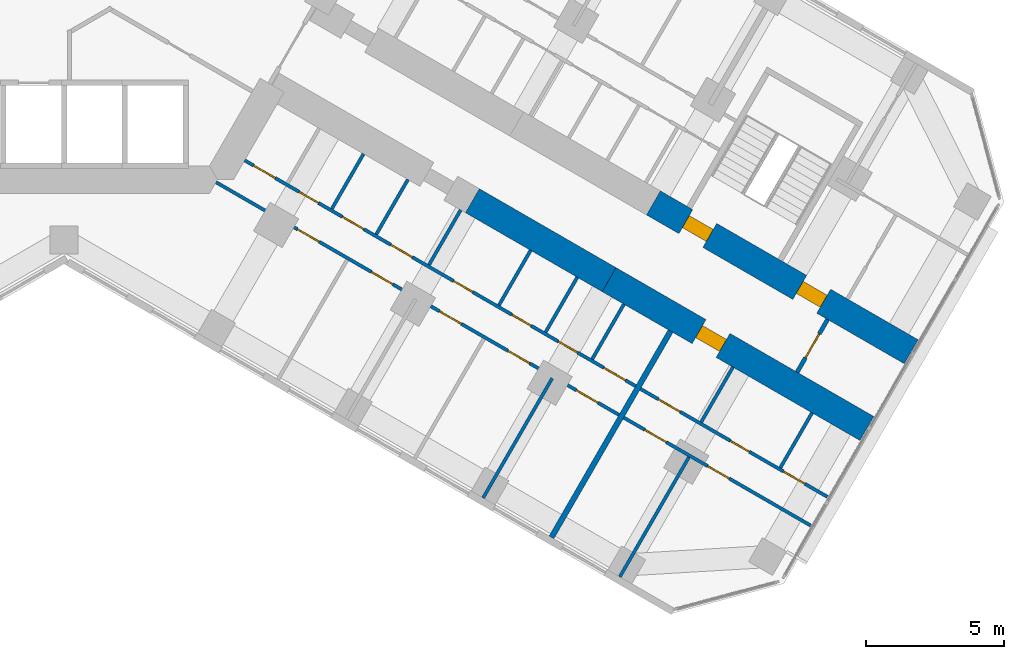
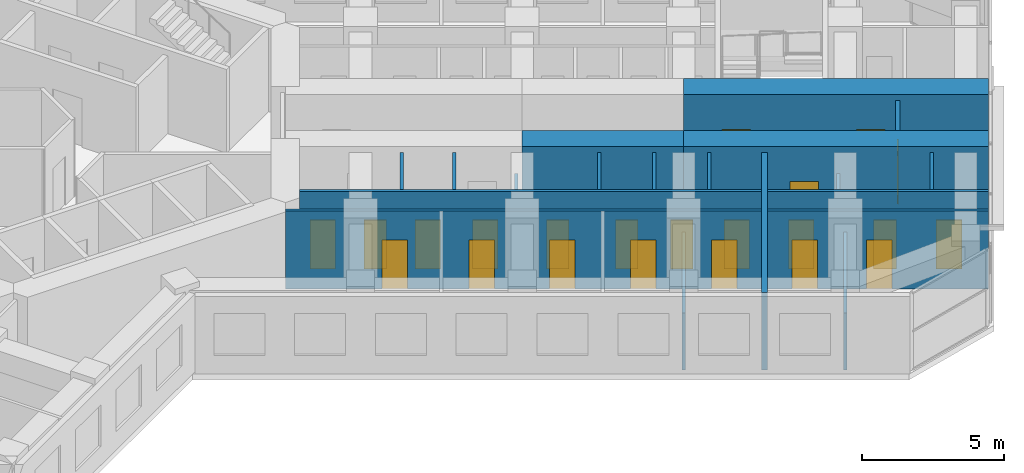
# One storey, part 14 of 21: 22 doors, 19 walls, 22 openings.
"""IFC4 building model written with IfcOpenShell, lengths in metres."""

from ifc_helpers import new_model, si_unit, direction, frame, frame_2d, origin, place, context, subcontext, project, spatial, rectangle, extrude, material, layer, layer_set, type_object, element, fill, save


model = new_model("IFC4")

# Units and contexts
model_context = context("Model", 3, precision=1e-05, world=origin(), true_north=direction((0.0, 1.0)))
body_context = subcontext(model_context, "Body", "Model", "MODEL_VIEW")
ifc_project = project(units=[si_unit("LENGTHUNIT", "METRE"), si_unit("AREAUNIT", "SQUARE_METRE"), si_unit("VOLUMEUNIT", "CUBIC_METRE"), si_unit("PLANEANGLEUNIT", "RADIAN"), si_unit("MASSUNIT", "GRAM", prefix="KILO")], contexts=[model_context])

# Site, building, storey
site_placement = place(None, origin())
site = spatial("IfcSite", under=ifc_project, at=site_placement, CompositionType="ELEMENT")
building_placement = place(site_placement, origin())
building = spatial("IfcBuilding", under=site, at=building_placement, Name="Kosmar Iwan School Tower", CompositionType="ELEMENT")
storey_placement = place(building_placement, frame((0.0, 0.0, 64.60009765625)))
storey = spatial("IfcBuildingStorey", under=building, at=storey_placement, Name="L15", CompositionType="ELEMENT", Elevation=64.60009765625)

# Wall, openings, doors
ifc_material_1 = material(Name="Concrete C50/60", Category="concrete")
ifc_layer_1 = layer(ifc_material_1, 1.0)
ifc_layer_set_1 = layer_set([ifc_layer_1], Name="Corridor buttress wall 1000")
wall_type_1 = type_object("IfcWallType", Name="Corridor buttress wall 1000", PredefinedType="SHEAR", material=ifc_layer_set_1)
wall_1_placement = place(storey_placement, frame((21.281494140625, -10.439453125, 0.0), z_axis=(0.0, 0.0, 1.0), x_axis=(0.866032345022, -0.499987977232, 0.0)))
wall_1 = element("IfcWall", 1, at=wall_1_placement, inside=storey, type_object=wall_type_1, Name="Corridor wall CL bay 3", PredefinedType="SHEAR", context=body_context, shape_type="SweptSolid", body=[
    extrude(rectangle(XDim=10.744873046875, YDim=1.0, at=frame_2d((5.37255859375, 0.0))), origin(), (0.0, 0.0, 1.0), 3.599853515625),
])
opening_1_placement = place(wall_1_placement, frame((6.10009765625, 0.0, 0.0)))
opening_1 = element("IfcOpeningElement", 2, at=opening_1_placement, cuts=wall_1, Name="Opening D1", PredefinedType="OPENING", context=body_context, shape_type="SweptSolid", body=[
    extrude(rectangle(XDim=1.0, YDim=2.10009765625, at=frame_2d((0.5, 1.050048828125))), frame((0.0, 0.511962890625, 0.0), z_axis=(0.0, -1.0, 0.0), x_axis=(1.0, 0.0, 0.0)), (0.0, 0.0, 1.0), 1.02392578125),
])
opening_2_placement = place(wall_1_placement, frame((1.35009765625, 0.0, 0.0)))
opening_2 = element("IfcOpeningElement", 3, at=opening_2_placement, cuts=wall_1, Name="Opening D6", PredefinedType="OPENING", context=body_context, shape_type="SweptSolid", body=[
    extrude(rectangle(XDim=1.0, YDim=2.10009765625, at=frame_2d((0.5, 1.050048828125))), frame((0.0, 0.511962890625, 0.0), z_axis=(0.0, -1.0, 0.0), x_axis=(1.0, 0.0, 0.0)), (0.0, 0.0, 1.0), 1.02392578125),
])
ifc_material_2 = material(Name="Timber fire door in steel frame", Category="steel")
door_type_1 = type_object("IfcDoorType", Name="Flat entrance door 1000x2100", OperationType="SINGLE_SWING_LEFT", PredefinedType="DOOR", material=ifc_material_2)
door_1_placement = place(opening_1_placement, origin())
door_1 = element("IfcDoor", 4, at=door_1_placement, inside=storey, type_object=door_type_1, Name="Flat L15-CL2 entrance door", OperationType="SINGLE_SWING_RIGHT", OverallHeight=2.10009765625, OverallWidth=1.0, PredefinedType="DOOR", context=body_context, shape_type="SweptSolid", body=[
    extrude(rectangle(XDim=1.0, YDim=2.10009765625, at=frame_2d((0.5, 1.050048828125))), frame((0.0, 0.25, 0.0), z_axis=(0.0, -1.0, 0.0), x_axis=(1.0, 0.0, 0.0)), (0.0, 0.0, 1.0), 0.5),
])
fill(opening_1, door_1)
ifc_material_3 = material(Name="Steel fire door", Category="steel")
door_type_2 = type_object("IfcDoorType", Name="Stair door 1000x2100", OperationType="SINGLE_SWING_LEFT", PredefinedType="DOOR", material=ifc_material_3)
door_2_placement = place(opening_2_placement, origin())
door_2 = element("IfcDoor", 5, at=door_2_placement, inside=storey, type_object=door_type_2, Name="Stair WS3 door L15", OperationType="SINGLE_SWING_LEFT", OverallHeight=2.10009765625, OverallWidth=1.0, PredefinedType="DOOR", context=body_context, shape_type="SweptSolid", body=[
    extrude(rectangle(XDim=1.0, YDim=2.10009765625, at=frame_2d((0.5, 1.050048828125))), frame((0.0, 0.25, 0.0), z_axis=(0.0, -1.0, 0.0), x_axis=(1.0, 0.0, 0.0)), (0.0, 0.0, 1.0), 0.5),
])
fill(opening_2, door_2)

# Wall
wall_2_placement = place(storey_placement, frame((14.7451171875, -10.360595703125, 0.0), z_axis=(0.0, 0.0, 1.0), x_axis=(0.866015111908, -0.50001782563, 0.0)))
element("IfcWall", 6, at=wall_2_placement, inside=storey, type_object=wall_type_1, Name="Corridor wall CR bay 2", PredefinedType="SHEAR", context=body_context, shape_type="SweptSolid", body=[
    extrude(rectangle(XDim=5.699951171875, YDim=1.0, at=frame_2d((2.85009765625, 0.0))), origin(), (0.0, 0.0, 1.0), 3.599853515625),
])

# Wall, opening, door
wall_3_placement = place(storey_placement, frame((19.681396484375, -13.210693359375, 0.0), z_axis=(0.0, 0.0, 1.0), x_axis=(0.866028186671, -0.499995179869, 0.0)))
wall_3 = element("IfcWall", 7, at=wall_3_placement, inside=storey, type_object=wall_type_1, Name="Corridor wall CR bay 3", PredefinedType="SHEAR", context=body_context, shape_type="SweptSolid", body=[
    extrude(rectangle(XDim=10.7451171875, YDim=1.0, at=frame_2d((5.37255859375, 0.0))), origin(), (0.0, 0.0, 1.0), 3.599853515625),
])
opening_3_placement = place(wall_3_placement, frame((3.75, 0.0, 0.0)))
opening_3 = element("IfcOpeningElement", 8, at=opening_3_placement, cuts=wall_3, Name="Opening D1", PredefinedType="OPENING", context=body_context, shape_type="SweptSolid", body=[
    extrude(rectangle(XDim=1.0, YDim=2.10009765625, at=frame_2d((0.5, 1.050048828125))), frame((0.0, 0.511962890625, 0.0), z_axis=(0.0, -1.0, 0.0), x_axis=(1.0, 0.0, 0.0)), (0.0, 0.0, 1.0), 1.02392578125),
])
door_3_placement = place(opening_3_placement, origin())
door_3 = element("IfcDoor", 9, at=door_3_placement, inside=storey, type_object=door_type_1, Name="Flat L15-CR2 entrance door", OperationType="SINGLE_SWING_RIGHT", OverallHeight=2.10009765625, OverallWidth=1.0, PredefinedType="DOOR", context=body_context, shape_type="SweptSolid", body=[
    extrude(rectangle(XDim=1.0, YDim=2.10009765625, at=frame_2d((0.5, 1.050048828125))), frame((0.0, 0.25, 0.0), z_axis=(0.0, -1.0, 0.0), x_axis=(1.0, 0.0, 0.0)), (0.0, 0.0, 1.0), 0.5),
])
fill(opening_3, door_3)

ifc_material_4 = material(Name="Gypsum board on steel studs, fire-rated", Category="steel")
ifc_layer_2 = layer(ifc_material_4, 0.14990234375)
ifc_layer_set_2 = layer_set([ifc_layer_2], Name="Corridor end wall 150")
wall_type_2 = type_object("IfcWallType", Name="Corridor end wall 150", PredefinedType="PARTITIONING", material=ifc_layer_set_2)
wall_4_placement = place(storey_placement, frame((26.469970703125, -16.552734375, 0.0), z_axis=(0.0, 0.0, 1.0), x_axis=(0.50002983664, 0.866008176907, 0.0)))
wall_4 = element("IfcWall", 10, at=wall_4_placement, inside=storey, type_object=wall_type_2, Name="Partition L15-C-CE", PredefinedType="PARTITIONING", context=body_context, shape_type="SweptSolid", body=[
    extrude(rectangle(XDim=2.199951171875, YDim=0.14990234375, at=frame_2d((1.10009765625, 0.0))), origin(), (0.0, 0.0, 1.0), 3.349853515625),
])
opening_4_placement = place(wall_4_placement, frame((0.60009765625, 0.0, 0.0)))
opening_4 = element("IfcOpeningElement", 11, at=opening_4_placement, cuts=wall_4, Name="Opening D13", PredefinedType="OPENING", context=body_context, shape_type="SweptSolid", body=[
    extrude(rectangle(XDim=1.0, YDim=2.10009765625, at=frame_2d((0.5, 1.050048828125))), frame((0.0, 0.0869140625, 0.0), z_axis=(0.0, -1.0, 0.0), x_axis=(1.0, 0.0, 0.0)), (0.0, 0.0, 1.0), 0.173828125),
])
ifc_material_5 = material(Name="Timber fire door with vision panel", Category="wood")
door_type_3 = type_object("IfcDoorType", Name="Corridor end door 1000x2100", OperationType="SINGLE_SWING_LEFT", PredefinedType="DOOR", material=ifc_material_5)
door_4_placement = place(opening_4_placement, origin())
door_4 = element("IfcDoor", 12, at=door_4_placement, inside=storey, type_object=door_type_3, Name="Laundry and drying room door L15-C", OperationType="SINGLE_SWING_RIGHT", OverallHeight=2.10009765625, OverallWidth=1.0, PredefinedType="DOOR", context=body_context, shape_type="SweptSolid", body=[
    extrude(rectangle(XDim=1.0, YDim=2.10009765625, at=frame_2d((0.5, 1.050048828125))), frame((0.0, 0.02490234375, 0.0), z_axis=(0.0, -1.0, 0.0), x_axis=(1.0, 0.0, 0.0)), (0.0, 0.0, 1.0), 0.050048828125),
])
fill(opening_4, door_4)

# Wall, openings, doors
ifc_material_6 = material(Name="Gypsum board on steel studs", Category="steel")
ifc_layer_3 = layer(ifc_material_6, 0.1201171875)
ifc_layer_set_3 = layer_set([ifc_layer_3], Name="Dwelling partition 120")
wall_type_3 = type_object("IfcWallType", Name="Dwelling partition 120", PredefinedType="PARTITIONING", material=ifc_layer_set_3)
wall_5_placement = place(storey_placement, frame((6.521728515625, -8.90380859375, 0.0), z_axis=(0.0, 0.0, 1.0), x_axis=(0.866031694176, -0.499989104564, 0.0)))
wall_5 = element("IfcWall", 13, at=wall_5_placement, inside=storey, type_object=wall_type_3, Name="Partition L15-CR1-W1", PredefinedType="PARTITIONING", context=body_context, shape_type="SweptSolid", body=[
    extrude(rectangle(XDim=16.300048828125, YDim=0.1201171875, at=frame_2d((8.14990234375, 0.0))), origin(), (0.0, 0.0, 1.0), 3.349853515625),
])
opening_5_placement = place(wall_5_placement, frame((0.375, 0.0, 0.0)))
opening_5 = element("IfcOpeningElement", 14, at=opening_5_placement, cuts=wall_5, Name="Opening D2", PredefinedType="OPENING", context=body_context, shape_type="SweptSolid", body=[
    extrude(rectangle(XDim=0.89990234375, YDim=2.10009765625, at=frame_2d((0.449951171875, 1.050048828125))), frame((0.0, 0.072021484375, 0.0), z_axis=(0.0, -1.0, 0.0), x_axis=(1.0, 0.0, 0.0)), (0.0, 0.0, 1.0), 0.14404296875),
])
opening_6_placement = place(wall_5_placement, frame((2.27490234375, 0.0, 0.0)))
opening_6 = element("IfcOpeningElement", 15, at=opening_6_placement, cuts=wall_5, Name="Opening D3", PredefinedType="OPENING", context=body_context, shape_type="SweptSolid", body=[
    extrude(rectangle(XDim=0.800048828125, YDim=2.10009765625, at=frame_2d((0.39990234375, 1.050048828125))), frame((0.0, 0.072021484375, 0.0), z_axis=(0.0, -1.0, 0.0), x_axis=(1.0, 0.0, 0.0)), (0.0, 0.0, 1.0), 0.14404296875),
])
opening_7_placement = place(wall_5_placement, frame((4.074951171875, 0.0, 0.0)))
opening_7 = element("IfcOpeningElement", 16, at=opening_7_placement, cuts=wall_5, Name="Opening D2", PredefinedType="OPENING", context=body_context, shape_type="SweptSolid", body=[
    extrude(rectangle(XDim=0.89990234375, YDim=2.10009765625, at=frame_2d((0.449951171875, 1.050048828125))), frame((0.0, 0.072021484375, 0.0), z_axis=(0.0, -1.0, 0.0), x_axis=(1.0, 0.0, 0.0)), (0.0, 0.0, 1.0), 0.14404296875),
])
opening_8_placement = place(wall_5_placement, frame((6.10009765625, 0.0, 0.0)))
opening_8 = element("IfcOpeningElement", 17, at=opening_8_placement, cuts=wall_5, Name="Opening D2", PredefinedType="OPENING", context=body_context, shape_type="SweptSolid", body=[
    extrude(rectangle(XDim=0.89990234375, YDim=2.10009765625, at=frame_2d((0.449951171875, 1.050048828125))), frame((0.0, 0.072021484375, 0.0), z_axis=(0.0, -1.0, 0.0), x_axis=(1.0, 0.0, 0.0)), (0.0, 0.0, 1.0), 0.14404296875),
])
opening_9_placement = place(wall_5_placement, frame((8.708251953125, 0.0, 0.0)))
opening_9 = element("IfcOpeningElement", 18, at=opening_9_placement, cuts=wall_5, Name="Opening D3", PredefinedType="OPENING", context=body_context, shape_type="SweptSolid", body=[
    extrude(rectangle(XDim=0.800048828125, YDim=2.10009765625, at=frame_2d((0.39990234375, 1.050048828125))), frame((0.0, 0.072021484375, 0.0), z_axis=(0.0, -1.0, 0.0), x_axis=(1.0, 0.0, 0.0)), (0.0, 0.0, 1.0), 0.14404296875),
])
opening_10_placement = place(wall_5_placement, frame((11.138916015625, 0.0, 0.0)))
opening_10 = element("IfcOpeningElement", 19, at=opening_10_placement, cuts=wall_5, Name="Opening D3", PredefinedType="OPENING", context=body_context, shape_type="SweptSolid", body=[
    extrude(rectangle(XDim=0.800048828125, YDim=2.10009765625, at=frame_2d((0.39990234375, 1.050048828125))), frame((0.0, 0.072021484375, 0.0), z_axis=(0.0, -1.0, 0.0), x_axis=(1.0, 0.0, 0.0)), (0.0, 0.0, 1.0), 0.14404296875),
])
opening_11_placement = place(wall_5_placement, frame((13.083251953125, 0.0, 0.0)))
opening_11 = element("IfcOpeningElement", 20, at=opening_11_placement, cuts=wall_5, Name="Opening D3", PredefinedType="OPENING", context=body_context, shape_type="SweptSolid", body=[
    extrude(rectangle(XDim=0.800048828125, YDim=2.10009765625, at=frame_2d((0.39990234375, 1.050048828125))), frame((0.0, 0.072021484375, 0.0), z_axis=(0.0, -1.0, 0.0), x_axis=(1.0, 0.0, 0.0)), (0.0, 0.0, 1.0), 0.14404296875),
])
opening_12_placement = place(wall_5_placement, frame((14.977783203125, 0.0, 0.0)))
opening_12 = element("IfcOpeningElement", 21, at=opening_12_placement, cuts=wall_5, Name="Opening D2", PredefinedType="OPENING", context=body_context, shape_type="SweptSolid", body=[
    extrude(rectangle(XDim=0.89990234375, YDim=2.10009765625, at=frame_2d((0.449951171875, 1.050048828125))), frame((0.0, 0.072021484375, 0.0), z_axis=(0.0, -1.0, 0.0), x_axis=(1.0, 0.0, 0.0)), (0.0, 0.0, 1.0), 0.14404296875),
])
ifc_material_7 = material(Name="Timber door in timber frame", Category="wood")
door_type_4 = type_object("IfcDoorType", Name="Internal door 900x2100", OperationType="SINGLE_SWING_LEFT", PredefinedType="DOOR", material=ifc_material_7)
door_5_placement = place(opening_5_placement, origin())
door_5 = element("IfcDoor", 22, at=door_5_placement, inside=storey, type_object=door_type_4, Name="Dressing room door L15-CR1-S1", OperationType="SINGLE_SWING_RIGHT", OverallHeight=2.10009765625, OverallWidth=0.89990234375, PredefinedType="DOOR", context=body_context, shape_type="SweptSolid", body=[
    extrude(rectangle(XDim=0.89990234375, YDim=2.10009765625, at=frame_2d((0.449951171875, 1.050048828125))), frame((0.0, 0.02490234375, 0.0), z_axis=(0.0, -1.0, 0.0), x_axis=(1.0, 0.0, 0.0)), (0.0, 0.0, 1.0), 0.050048828125),
])
fill(opening_5, door_5)
door_6_placement = place(opening_7_placement, origin())
door_6 = element("IfcDoor", 23, at=door_6_placement, inside=storey, type_object=door_type_4, Name="Pantry door L15-CR1-S3", OperationType="SINGLE_SWING_RIGHT", OverallHeight=2.10009765625, OverallWidth=0.89990234375, PredefinedType="DOOR", context=body_context, shape_type="SweptSolid", body=[
    extrude(rectangle(XDim=0.89990234375, YDim=2.10009765625, at=frame_2d((0.449951171875, 1.050048828125))), frame((0.0, 0.02490234375, 0.0), z_axis=(0.0, -1.0, 0.0), x_axis=(1.0, 0.0, 0.0)), (0.0, 0.0, 1.0), 0.050048828125),
])
fill(opening_7, door_6)
door_7_placement = place(opening_8_placement, origin())
door_7 = element("IfcDoor", 24, at=door_7_placement, inside=storey, type_object=door_type_4, Name="Entrance hall door L15-CR1-S4", OperationType="SINGLE_SWING_LEFT", OverallHeight=2.10009765625, OverallWidth=0.89990234375, PredefinedType="DOOR", context=body_context, shape_type="SweptSolid", body=[
    extrude(rectangle(XDim=0.89990234375, YDim=2.10009765625, at=frame_2d((0.449951171875, 1.050048828125))), frame((0.0, 0.02490234375, 0.0), z_axis=(0.0, -1.0, 0.0), x_axis=(1.0, 0.0, 0.0)), (0.0, 0.0, 1.0), 0.050048828125),
])
fill(opening_8, door_7)
door_8_placement = place(opening_12_placement, origin())
door_8 = element("IfcDoor", 25, at=door_8_placement, inside=storey, type_object=door_type_4, Name="Utility room door L15-CR1-S8", OperationType="SINGLE_SWING_RIGHT", OverallHeight=2.10009765625, OverallWidth=0.89990234375, PredefinedType="DOOR", context=body_context, shape_type="SweptSolid", body=[
    extrude(rectangle(XDim=0.89990234375, YDim=2.10009765625, at=frame_2d((0.449951171875, 1.050048828125))), frame((0.0, 0.02490234375, 0.0), z_axis=(0.0, -1.0, 0.0), x_axis=(1.0, 0.0, 0.0)), (0.0, 0.0, 1.0), 0.050048828125),
])
fill(opening_12, door_8)
ifc_material_8 = material(Name="Timber door in timber frame", Category="wood")
door_type_5 = type_object("IfcDoorType", Name="Sanitary room door 800x2100", OperationType="SINGLE_SWING_LEFT", PredefinedType="DOOR", material=ifc_material_8)
door_9_placement = place(opening_6_placement, origin())
door_9 = element("IfcDoor", 26, at=door_9_placement, inside=storey, type_object=door_type_5, Name="Store door L15-CR1-S2", OperationType="SINGLE_SWING_LEFT", OverallHeight=2.10009765625, OverallWidth=0.800048828125, PredefinedType="DOOR", context=body_context, shape_type="SweptSolid", body=[
    extrude(rectangle(XDim=0.800048828125, YDim=2.10009765625, at=frame_2d((0.39990234375, 1.050048828125))), frame((0.0, 0.02490234375, 0.0), z_axis=(0.0, -1.0, 0.0), x_axis=(1.0, 0.0, 0.0)), (0.0, 0.0, 1.0), 0.050048828125),
])
fill(opening_6, door_9)
door_10_placement = place(opening_9_placement, origin())
door_10 = element("IfcDoor", 27, at=door_10_placement, inside=storey, type_object=door_type_5, Name="Bathroom door L15-CR1-S5", OperationType="SINGLE_SWING_RIGHT", OverallHeight=2.10009765625, OverallWidth=0.800048828125, PredefinedType="DOOR", context=body_context, shape_type="SweptSolid", body=[
    extrude(rectangle(XDim=0.800048828125, YDim=2.10009765625, at=frame_2d((0.39990234375, 1.050048828125))), frame((0.0, 0.02490234375, 0.0), z_axis=(0.0, -1.0, 0.0), x_axis=(1.0, 0.0, 0.0)), (0.0, 0.0, 1.0), 0.050048828125),
])
fill(opening_9, door_10)
door_11_placement = place(opening_10_placement, origin())
door_11 = element("IfcDoor", 28, at=door_11_placement, inside=storey, type_object=door_type_5, Name="Shower room door L15-CR1-S6", OperationType="SINGLE_SWING_LEFT", OverallHeight=2.10009765625, OverallWidth=0.800048828125, PredefinedType="DOOR", context=body_context, shape_type="SweptSolid", body=[
    extrude(rectangle(XDim=0.800048828125, YDim=2.10009765625, at=frame_2d((0.39990234375, 1.050048828125))), frame((0.0, 0.02490234375, 0.0), z_axis=(0.0, -1.0, 0.0), x_axis=(1.0, 0.0, 0.0)), (0.0, 0.0, 1.0), 0.050048828125),
])
fill(opening_10, door_11)
door_12_placement = place(opening_11_placement, origin())
door_12 = element("IfcDoor", 29, at=door_12_placement, inside=storey, type_object=door_type_5, Name="WC door L15-CR1-S7", OperationType="SINGLE_SWING_RIGHT", OverallHeight=2.10009765625, OverallWidth=0.800048828125, PredefinedType="DOOR", context=body_context, shape_type="SweptSolid", body=[
    extrude(rectangle(XDim=0.800048828125, YDim=2.10009765625, at=frame_2d((0.39990234375, 1.050048828125))), frame((0.0, 0.02490234375, 0.0), z_axis=(0.0, -1.0, 0.0), x_axis=(1.0, 0.0, 0.0)), (0.0, 0.0, 1.0), 0.050048828125),
])
fill(opening_11, door_12)

wall_6_placement = place(storey_placement, frame((5.48876953125, -9.693115234375, 0.0), z_axis=(0.0, 0.0, 1.0), x_axis=(0.86602925447, -0.499993330357, 0.0)))
wall_6 = element("IfcWall", 30, at=wall_6_placement, inside=storey, type_object=wall_type_3, Name="Partition L15-CR1-W2", PredefinedType="PARTITIONING", context=body_context, shape_type="SweptSolid", body=[
    extrude(rectangle(XDim=16.800048828125, YDim=0.1201171875, at=frame_2d((8.39990234375, 0.0))), origin(), (0.0, 0.0, 1.0), 3.349853515625),
])
opening_13_placement = place(wall_6_placement, frame((3.39990234375, 0.0, 0.0)))
opening_13 = element("IfcOpeningElement", 31, at=opening_13_placement, cuts=wall_6, Name="Opening D2", PredefinedType="OPENING", context=body_context, shape_type="SweptSolid", body=[
    extrude(rectangle(XDim=0.89990234375, YDim=2.10009765625, at=frame_2d((0.449951171875, 1.050048828125))), frame((0.0, 0.072021484375, 0.0), z_axis=(0.0, -1.0, 0.0), x_axis=(1.0, 0.0, 0.0)), (0.0, 0.0, 1.0), 0.14404296875),
])
opening_14_placement = place(wall_6_placement, frame((6.47509765625, 0.0, 0.0)))
opening_14 = element("IfcOpeningElement", 32, at=opening_14_placement, cuts=wall_6, Name="Opening D2", PredefinedType="OPENING", context=body_context, shape_type="SweptSolid", body=[
    extrude(rectangle(XDim=0.89990234375, YDim=2.10009765625, at=frame_2d((0.449951171875, 1.050048828125))), frame((0.0, 0.072021484375, 0.0), z_axis=(0.0, -1.0, 0.0), x_axis=(1.0, 0.0, 0.0)), (0.0, 0.0, 1.0), 0.14404296875),
])
opening_15_placement = place(wall_6_placement, frame((9.324951171875, 0.0, 0.0)))
opening_15 = element("IfcOpeningElement", 33, at=opening_15_placement, cuts=wall_6, Name="Opening D2", PredefinedType="OPENING", context=body_context, shape_type="SweptSolid", body=[
    extrude(rectangle(XDim=0.89990234375, YDim=2.10009765625, at=frame_2d((0.449951171875, 1.050048828125))), frame((0.0, 0.072021484375, 0.0), z_axis=(0.0, -1.0, 0.0), x_axis=(1.0, 0.0, 0.0)), (0.0, 0.0, 1.0), 0.14404296875),
])
opening_16_placement = place(wall_6_placement, frame((12.175048828125, 0.0, 0.0)))
opening_16 = element("IfcOpeningElement", 34, at=opening_16_placement, cuts=wall_6, Name="Opening D2", PredefinedType="OPENING", context=body_context, shape_type="SweptSolid", body=[
    extrude(rectangle(XDim=0.89990234375, YDim=2.10009765625, at=frame_2d((0.449951171875, 1.050048828125))), frame((0.0, 0.072021484375, 0.0), z_axis=(0.0, -1.0, 0.0), x_axis=(1.0, 0.0, 0.0)), (0.0, 0.0, 1.0), 0.14404296875),
])
opening_17_placement = place(wall_6_placement, frame((15.02490234375, 0.0, 0.0)))
opening_17 = element("IfcOpeningElement", 35, at=opening_17_placement, cuts=wall_6, Name="Opening D2", PredefinedType="OPENING", context=body_context, shape_type="SweptSolid", body=[
    extrude(rectangle(XDim=0.89990234375, YDim=2.10009765625, at=frame_2d((0.449951171875, 1.050048828125))), frame((0.0, 0.072021484375, 0.0), z_axis=(0.0, -1.0, 0.0), x_axis=(1.0, 0.0, 0.0)), (0.0, 0.0, 1.0), 0.14404296875),
])
door_13_placement = place(opening_13_placement, origin())
door_13 = element("IfcDoor", 36, at=door_13_placement, inside=storey, type_object=door_type_4, Name="Living room and kitchen door L15-CR1-F1", OperationType="SINGLE_SWING_LEFT", OverallHeight=2.10009765625, OverallWidth=0.89990234375, PredefinedType="DOOR", context=body_context, shape_type="SweptSolid", body=[
    extrude(rectangle(XDim=0.89990234375, YDim=2.10009765625, at=frame_2d((0.449951171875, 1.050048828125))), frame((0.0, 0.02490234375, 0.0), z_axis=(0.0, -1.0, 0.0), x_axis=(1.0, 0.0, 0.0)), (0.0, 0.0, 1.0), 0.050048828125),
])
fill(opening_13, door_13)
door_14_placement = place(opening_14_placement, origin())
door_14 = element("IfcDoor", 37, at=door_14_placement, inside=storey, type_object=door_type_4, Name="Bedroom 1 door L15-CR1-F2", OperationType="SINGLE_SWING_LEFT", OverallHeight=2.10009765625, OverallWidth=0.89990234375, PredefinedType="DOOR", context=body_context, shape_type="SweptSolid", body=[
    extrude(rectangle(XDim=0.89990234375, YDim=2.10009765625, at=frame_2d((0.449951171875, 1.050048828125))), frame((0.0, 0.02490234375, 0.0), z_axis=(0.0, -1.0, 0.0), x_axis=(1.0, 0.0, 0.0)), (0.0, 0.0, 1.0), 0.050048828125),
])
fill(opening_14, door_14)
door_15_placement = place(opening_15_placement, origin())
door_15 = element("IfcDoor", 38, at=door_15_placement, inside=storey, type_object=door_type_4, Name="Bedroom 2 door L15-CR1-F3", OperationType="SINGLE_SWING_RIGHT", OverallHeight=2.10009765625, OverallWidth=0.89990234375, PredefinedType="DOOR", context=body_context, shape_type="SweptSolid", body=[
    extrude(rectangle(XDim=0.89990234375, YDim=2.10009765625, at=frame_2d((0.449951171875, 1.050048828125))), frame((0.0, 0.02490234375, 0.0), z_axis=(0.0, -1.0, 0.0), x_axis=(1.0, 0.0, 0.0)), (0.0, 0.0, 1.0), 0.050048828125),
])
fill(opening_15, door_15)
door_16_placement = place(opening_16_placement, origin())
door_16 = element("IfcDoor", 39, at=door_16_placement, inside=storey, type_object=door_type_4, Name="Bedroom 3 door L15-CR1-F4", OperationType="SINGLE_SWING_RIGHT", OverallHeight=2.10009765625, OverallWidth=0.89990234375, PredefinedType="DOOR", context=body_context, shape_type="SweptSolid", body=[
    extrude(rectangle(XDim=0.89990234375, YDim=2.10009765625, at=frame_2d((0.449951171875, 1.050048828125))), frame((0.0, 0.02490234375, 0.0), z_axis=(0.0, -1.0, 0.0), x_axis=(1.0, 0.0, 0.0)), (0.0, 0.0, 1.0), 0.050048828125),
])
fill(opening_16, door_16)
door_17_placement = place(opening_17_placement, origin())
door_17 = element("IfcDoor", 40, at=door_17_placement, inside=storey, type_object=door_type_4, Name="Bedroom 4 door L15-CR1-F5", OperationType="SINGLE_SWING_RIGHT", OverallHeight=2.10009765625, OverallWidth=0.89990234375, PredefinedType="DOOR", context=body_context, shape_type="SweptSolid", body=[
    extrude(rectangle(XDim=0.89990234375, YDim=2.10009765625, at=frame_2d((0.449951171875, 1.050048828125))), frame((0.0, 0.02490234375, 0.0), z_axis=(0.0, -1.0, 0.0), x_axis=(1.0, 0.0, 0.0)), (0.0, 0.0, 1.0), 0.050048828125),
])
fill(opening_17, door_17)

# Walls
wall_7_placement = place(storey_placement, frame((17.62646484375, -16.77001953125, 0.0), z_axis=(0.0, 0.0, 1.0), x_axis=(-0.499975153383, -0.86603974851, 0.0)))
element("IfcWall", 41, at=wall_7_placement, inside=storey, type_object=wall_type_3, Name="Partition L15-CR1-X4", PredefinedType="PARTITIONING", context=body_context, shape_type="SweptSolid", body=[
    extrude(rectangle(XDim=4.989990234375, YDim=0.1201171875, at=frame_2d((2.4951171875, 0.0))), origin(), (0.0, 0.0, 1.0), 2.449951171875),
])
for number, where, z_axis, x_axis, name in (
    (42, (10.814453125, -8.668701171875, 0.0), (0.0, 0.0, 1.0), (-0.500014693593, -0.866016920268, 0.0), "Partition L15-CR1-Y2"),
    (43, (12.416748046875, -9.59375, 0.0), (0.0, 0.0, 1.0), (-0.500014693593, -0.866016920268, 0.0), "Partition L15-CR1-Y3"),
):
    element("IfcWall", number, at=place(storey_placement, frame(where, z_axis=z_axis, x_axis=x_axis)), inside=storey, type_object=wall_type_3, Name=name, PredefinedType="PARTITIONING", context=body_context, shape_type="SweptSolid", body=[
        extrude(rectangle(XDim=2.2900390625, YDim=0.1201171875, at=frame_2d((1.14501953125, 0.0))), origin(), (0.0, 0.0, 1.0), 3.349853515625),
    ])
wall_8_placement = place(storey_placement, frame((14.322021484375, -10.693603515625, 0.0), z_axis=(0.0, 0.0, 1.0), x_axis=(-0.500014693593, -0.866016920268, 0.0)))
element("IfcWall", 44, at=wall_8_placement, inside=storey, type_object=wall_type_3, Name="Partition L15-CR1-Y4", PredefinedType="PARTITIONING", context=body_context, shape_type="SweptSolid", body=[
    extrude(rectangle(XDim=2.2900390625, YDim=0.1201171875, at=frame_2d((1.14501953125, 0.0))), origin(), (0.0, 0.0, 1.0), 2.449951171875),
])
for number, where, z_axis, x_axis, name in (
    (45, (16.847900390625, -12.152099609375, 0.0), (0.0, 0.0, 1.0), (-0.500014693593, -0.866016920268, 0.0), "Partition L15-CR1-Y5"),
    (46, (18.53173828125, -13.124267578125, 0.0), (0.0, 0.0, 1.0), (-0.500014693593, -0.866016920268, 0.0), "Partition L15-CR1-Y6"),
    (47, (20.2158203125, -14.096435546875, 0.0), (0.0, 0.0, 1.0), (-0.500014693593, -0.866016920268, 0.0), "Partition L15-CR1-Y7"),
):
    element("IfcWall", number, at=place(storey_placement, frame(where, z_axis=z_axis, x_axis=x_axis)), inside=storey, type_object=wall_type_3, Name=name, PredefinedType="PARTITIONING", context=body_context, shape_type="SweptSolid", body=[
        extrude(rectangle(XDim=2.2900390625, YDim=0.1201171875, at=frame_2d((1.14501953125, 0.0))), origin(), (0.0, 0.0, 1.0), 3.349853515625),
    ])

# Wall, openings, doors
wall_9_placement = place(storey_placement, frame((20.811279296875, -17.15380859375, 0.0), z_axis=(0.0, 0.0, 1.0), x_axis=(0.866029639064, -0.499992664208, 0.0)))
wall_9 = element("IfcWall", 48, at=wall_9_placement, inside=storey, type_object=wall_type_3, Name="Partition L15-CR2-W1", PredefinedType="PARTITIONING", context=body_context, shape_type="SweptSolid", body=[
    extrude(rectangle(XDim=7.794921875, YDim=0.1201171875, at=frame_2d((3.8974609375, 0.0))), origin(), (0.0, 0.0, 1.0), 3.349853515625),
])
opening_18_placement = place(wall_9_placement, frame((0.75, 0.0, 0.0)))
opening_18 = element("IfcOpeningElement", 49, at=opening_18_placement, cuts=wall_9, Name="Opening D2", PredefinedType="OPENING", context=body_context, shape_type="SweptSolid", body=[
    extrude(rectangle(XDim=0.89990234375, YDim=2.10009765625, at=frame_2d((0.449951171875, 1.050048828125))), frame((0.0, 0.072021484375, 0.0), z_axis=(0.0, -1.0, 0.0), x_axis=(1.0, 0.0, 0.0)), (0.0, 0.0, 1.0), 0.14404296875),
])
opening_19_placement = place(wall_9_placement, frame((3.75, 0.0, 0.0)))
opening_19 = element("IfcOpeningElement", 50, at=opening_19_placement, cuts=wall_9, Name="Opening D3", PredefinedType="OPENING", context=body_context, shape_type="SweptSolid", body=[
    extrude(rectangle(XDim=0.800048828125, YDim=2.10009765625, at=frame_2d((0.39990234375, 1.050048828125))), frame((0.0, 0.072021484375, 0.0), z_axis=(0.0, -1.0, 0.0), x_axis=(1.0, 0.0, 0.0)), (0.0, 0.0, 1.0), 0.14404296875),
])
opening_20_placement = place(wall_9_placement, frame((5.9599609375, 0.0, 0.0)))
opening_20 = element("IfcOpeningElement", 51, at=opening_20_placement, cuts=wall_9, Name="Opening D2", PredefinedType="OPENING", context=body_context, shape_type="SweptSolid", body=[
    extrude(rectangle(XDim=0.89990234375, YDim=2.10009765625, at=frame_2d((0.449951171875, 1.050048828125))), frame((0.0, 0.072021484375, 0.0), z_axis=(0.0, -1.0, 0.0), x_axis=(1.0, 0.0, 0.0)), (0.0, 0.0, 1.0), 0.14404296875),
])
door_18_placement = place(opening_18_placement, origin())
door_18 = element("IfcDoor", 52, at=door_18_placement, inside=storey, type_object=door_type_4, Name="Entrance hall door L15-CR2-S1", OperationType="SINGLE_SWING_RIGHT", OverallHeight=2.10009765625, OverallWidth=0.89990234375, PredefinedType="DOOR", context=body_context, shape_type="SweptSolid", body=[
    extrude(rectangle(XDim=0.89990234375, YDim=2.10009765625, at=frame_2d((0.449951171875, 1.050048828125))), frame((0.0, 0.02490234375, 0.0), z_axis=(0.0, -1.0, 0.0), x_axis=(1.0, 0.0, 0.0)), (0.0, 0.0, 1.0), 0.050048828125),
])
fill(opening_18, door_18)
door_19_placement = place(opening_20_placement, origin())
door_19 = element("IfcDoor", 53, at=door_19_placement, inside=storey, type_object=door_type_4, Name="Pantry door L15-CR2-S3", OperationType="SINGLE_SWING_LEFT", OverallHeight=2.10009765625, OverallWidth=0.89990234375, PredefinedType="DOOR", context=body_context, shape_type="SweptSolid", body=[
    extrude(rectangle(XDim=0.89990234375, YDim=2.10009765625, at=frame_2d((0.449951171875, 1.050048828125))), frame((0.0, 0.02490234375, 0.0), z_axis=(0.0, -1.0, 0.0), x_axis=(1.0, 0.0, 0.0)), (0.0, 0.0, 1.0), 0.050048828125),
])
fill(opening_20, door_19)
door_20_placement = place(opening_19_placement, origin())
door_20 = element("IfcDoor", 54, at=door_20_placement, inside=storey, type_object=door_type_5, Name="Bathroom door L15-CR2-S2", OperationType="SINGLE_SWING_LEFT", OverallHeight=2.10009765625, OverallWidth=0.800048828125, PredefinedType="DOOR", context=body_context, shape_type="SweptSolid", body=[
    extrude(rectangle(XDim=0.800048828125, YDim=2.10009765625, at=frame_2d((0.39990234375, 1.050048828125))), frame((0.0, 0.02490234375, 0.0), z_axis=(0.0, -1.0, 0.0), x_axis=(1.0, 0.0, 0.0)), (0.0, 0.0, 1.0), 0.050048828125),
])
fill(opening_19, door_20)

wall_10_placement = place(storey_placement, frame((20.211181640625, -18.193115234375, 0.0), z_axis=(0.0, 0.0, 1.0), x_axis=(0.866029639064, -0.499992664208, 0.0)))
wall_10 = element("IfcWall", 55, at=wall_10_placement, inside=storey, type_object=wall_type_3, Name="Partition L15-CR2-W2", PredefinedType="PARTITIONING", context=body_context, shape_type="SweptSolid", body=[
    extrude(rectangle(XDim=7.794921875, YDim=0.1201171875, at=frame_2d((3.8974609375, 0.0))), origin(), (0.0, 0.0, 1.0), 3.349853515625),
])
opening_21_placement = place(wall_10_placement, frame((0.875, 0.0, 0.0)))
opening_21 = element("IfcOpeningElement", 56, at=opening_21_placement, cuts=wall_10, Name="Opening D2", PredefinedType="OPENING", context=body_context, shape_type="SweptSolid", body=[
    extrude(rectangle(XDim=0.89990234375, YDim=2.10009765625, at=frame_2d((0.449951171875, 1.050048828125))), frame((0.0, 0.072021484375, 0.0), z_axis=(0.0, -1.0, 0.0), x_axis=(1.0, 0.0, 0.0)), (0.0, 0.0, 1.0), 0.14404296875),
])
opening_22_placement = place(wall_10_placement, frame((3.5, 0.0, 0.0)))
opening_22 = element("IfcOpeningElement", 57, at=opening_22_placement, cuts=wall_10, Name="Opening D2", PredefinedType="OPENING", context=body_context, shape_type="SweptSolid", body=[
    extrude(rectangle(XDim=0.89990234375, YDim=2.10009765625, at=frame_2d((0.449951171875, 1.050048828125))), frame((0.0, 0.072021484375, 0.0), z_axis=(0.0, -1.0, 0.0), x_axis=(1.0, 0.0, 0.0)), (0.0, 0.0, 1.0), 0.14404296875),
])
door_21_placement = place(opening_21_placement, origin())
door_21 = element("IfcDoor", 58, at=door_21_placement, inside=storey, type_object=door_type_4, Name="Bedroom 1 door L15-CR2-F1", OperationType="SINGLE_SWING_LEFT", OverallHeight=2.10009765625, OverallWidth=0.89990234375, PredefinedType="DOOR", context=body_context, shape_type="SweptSolid", body=[
    extrude(rectangle(XDim=0.89990234375, YDim=2.10009765625, at=frame_2d((0.449951171875, 1.050048828125))), frame((0.0, 0.02490234375, 0.0), z_axis=(0.0, -1.0, 0.0), x_axis=(1.0, 0.0, 0.0)), (0.0, 0.0, 1.0), 0.050048828125),
])
fill(opening_21, door_21)
door_22_placement = place(opening_22_placement, origin())
door_22 = element("IfcDoor", 59, at=door_22_placement, inside=storey, type_object=door_type_4, Name="Living room and kitchen door L15-CR2-F2", OperationType="SINGLE_SWING_RIGHT", OverallHeight=2.10009765625, OverallWidth=0.89990234375, PredefinedType="DOOR", context=body_context, shape_type="SweptSolid", body=[
    extrude(rectangle(XDim=0.89990234375, YDim=2.10009765625, at=frame_2d((0.449951171875, 1.050048828125))), frame((0.0, 0.02490234375, 0.0), z_axis=(0.0, -1.0, 0.0), x_axis=(1.0, 0.0, 0.0)), (0.0, 0.0, 1.0), 0.050048828125),
])
fill(opening_22, door_22)

# Walls
wall_11_placement = place(storey_placement, frame((22.562744140625, -19.6201171875, 0.0), z_axis=(0.0, 0.0, 1.0), x_axis=(-0.499996339024, -0.86602751744, 0.0)))
element("IfcWall", 60, at=wall_11_placement, inside=storey, type_object=wall_type_3, Name="Partition L15-CR2-X1", PredefinedType="PARTITIONING", context=body_context, shape_type="SweptSolid", body=[
    extrude(rectangle(XDim=4.98974609375, YDim=0.1201171875, at=frame_2d((2.494873046875, 0.0))), origin(), (0.0, 0.0, 1.0), 2.449951171875),
])
wall_12_placement = place(storey_placement, frame((24.1513671875, -16.36865234375, 0.0), z_axis=(0.0, 0.0, 1.0), x_axis=(-0.500014693593, -0.866016920268, 0.0)))
element("IfcWall", 61, at=wall_12_placement, inside=storey, type_object=wall_type_3, Name="Partition L15-CR2-Y1", PredefinedType="PARTITIONING", context=body_context, shape_type="SweptSolid", body=[
    extrude(rectangle(XDim=2.2900390625, YDim=0.1201171875, at=frame_2d((1.14501953125, 0.0))), origin(), (0.0, 0.0, 1.0), 2.449951171875),
])
wall_13_placement = place(storey_placement, frame((27.00927734375, -18.0185546875, 0.0), z_axis=(0.0, 0.0, 1.0), x_axis=(-0.499968531483, -0.866043571379, 0.0)))
element("IfcWall", 62, at=wall_13_placement, inside=storey, type_object=wall_type_3, Name="Partition L15-CR2-Y2", PredefinedType="PARTITIONING", context=body_context, shape_type="SweptSolid", body=[
    extrude(rectangle(XDim=2.290283203125, YDim=0.1201171875, at=frame_2d((1.14501953125, 0.0))), origin(), (0.0, 0.0, 1.0), 3.349853515625),
])
ifc_material_9 = material(Name="Concrete block masonry", Category="masonry")
ifc_layer_4 = layer(ifc_material_9, 0.199951171875)
ifc_layer_set_4 = layer_set([ifc_layer_4], Name="Party wall 200")
wall_type_4 = type_object("IfcWallType", Name="Party wall 200", PredefinedType="PARTITIONING", material=ifc_layer_set_4)
wall_14_placement = place(storey_placement, frame((21.899658203125, -15.068603515625, 0.0), z_axis=(0.0, 0.0, 1.0), x_axis=(-0.499995216735, -0.866028165386, 0.0)))
element("IfcWall", 63, at=wall_14_placement, inside=storey, type_object=wall_type_4, Name="Partition L15-CR2-PW", PredefinedType="PARTITIONING", context=body_context, shape_type="SweptSolid", body=[
    extrude(rectangle(XDim=8.60009765625, YDim=0.199951171875, at=frame_2d((4.300048828125, 0.0))), origin(), (0.0, 0.0, 1.0), 3.349853515625),
])

save(model, "model.ifc")
